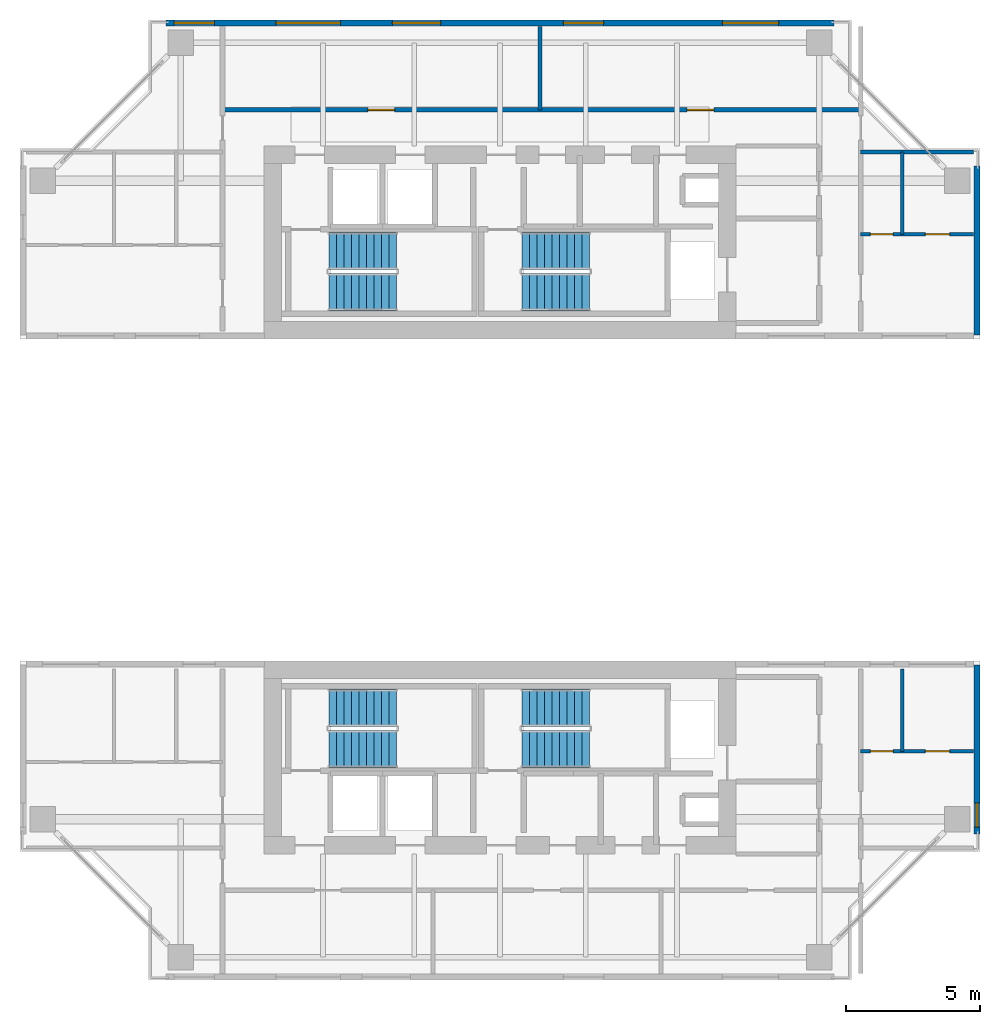
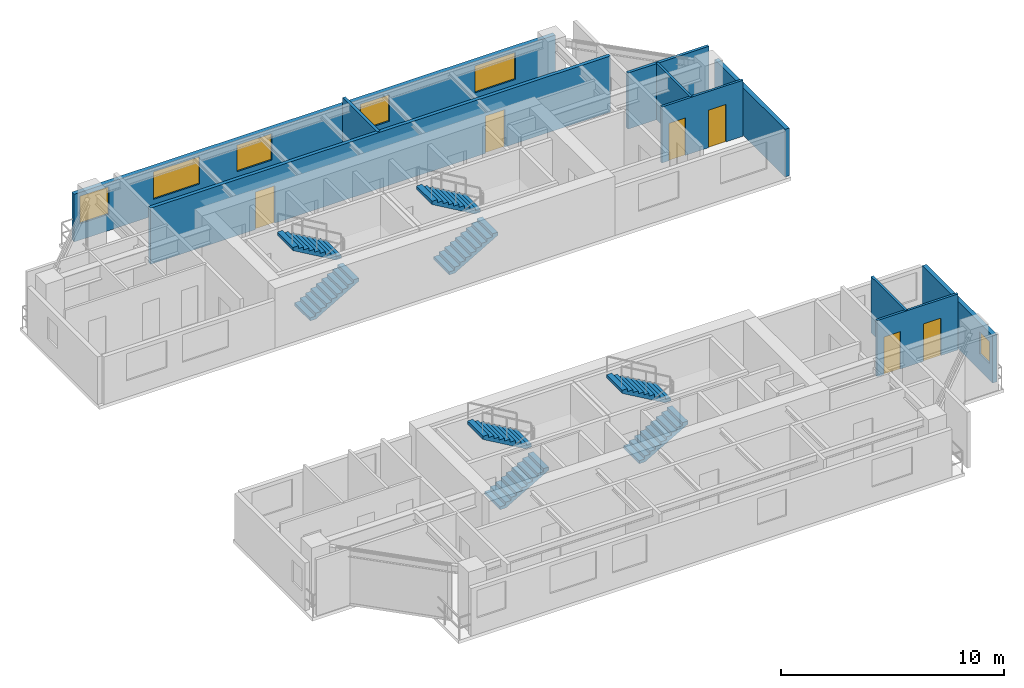
# One storey, part 10 of 12: 10 walls, 8 stair flights, 6 doors, 6 windows, 12 openings, 4 elements without a shape of their own.
"""IFC4 building model written with IfcOpenShell, lengths in metres."""

from ifc_helpers import new_model, si_unit, direction, frame, frame_2d, origin, place, context, subcontext, project, spatial, polyline, rectangle, outline, extrude, source, transform, mapped, material, layer, layer_set, type_object, element, fill, aggregate, save


model = new_model("IFC4")

# Units and contexts
model_context = context("Model", 3, precision=1e-05, world=origin(), true_north=direction((0.0, 1.0)))
body_context = subcontext(model_context, "Body", "Model", "MODEL_VIEW")
ifc_project = project(units=[si_unit("LENGTHUNIT", "METRE"), si_unit("AREAUNIT", "SQUARE_METRE"), si_unit("VOLUMEUNIT", "CUBIC_METRE"), si_unit("PLANEANGLEUNIT", "RADIAN"), si_unit("MASSUNIT", "GRAM", prefix="KILO"), si_unit("THERMODYNAMICTEMPERATUREUNIT", "KELVIN"), si_unit("POWERUNIT", "WATT")], contexts=[model_context])

# Site, building, storey
site_placement = place(None, origin())
site = spatial("IfcSite", under=ifc_project, at=site_placement, CompositionType="ELEMENT")
building_placement = place(site_placement, origin())
building = spatial("IfcBuilding", under=site, at=building_placement, Name="Qiaomeng Ring Towers", CompositionType="ELEMENT")
storey_placement = place(building_placement, frame((0.0, 0.0, 160.0)))
storey = spatial("IfcBuildingStorey", under=building, at=storey_placement, Name="L46", CompositionType="ELEMENT", Elevation=160.0)

# Wall
ifc_material_1 = material(Name="Precast concrete C40", Category="concrete")
ifc_layer_1 = layer(ifc_material_1, 0.219970703125, Name="Precast concrete C40")
ifc_layer_set_1 = layer_set([ifc_layer_1], Name="Precast concrete C40")
wall_type_1 = type_object("IfcWallType", Name="ARC-WL-EW2", PredefinedType="STANDARD", material=ifc_layer_set_1)
wall_1_placement = place(storey_placement, frame((36.7900390625, 29.14990234375, 0.0), z_axis=(0.0, 0.0, 1.0), x_axis=(0.0, 1.0, 0.0)))
element("IfcWall", 1, at=wall_1_placement, inside=storey, type_object=wall_type_1, Name="L46 Portal Wing Side Wall NWING-EL", PredefinedType="STANDARD", context=body_context, shape_type="SweptSolid", body=[
    extrude(rectangle(XDim=6.300048828125, YDim=0.219970703125, at=frame_2d((3.14990234375, 0.0))), origin(), (0.0, 0.0, 1.0), 2.610107421875),
])

# Wall, opening, window
wall_2_placement = place(storey_placement, frame((36.7900390625, 10.550048828125, 0.0), z_axis=(0.0, 0.0, 1.0), x_axis=(0.0, 1.0, 0.0)))
wall_2 = element("IfcWall", 2, at=wall_2_placement, inside=storey, type_object=wall_type_1, Name="L46 Portal Wing Side Wall SWING-EL", PredefinedType="STANDARD", context=body_context, shape_type="SweptSolid", body=[
    extrude(rectangle(XDim=6.300048828125, YDim=0.219970703125, at=frame_2d((3.14990234375, 0.0))), origin(), (0.0, 0.0, 1.0), 2.610107421875),
])
opening_1_placement = place(wall_2_placement, frame((0.25, 0.0, 0.89990234375)))
opening_1 = element("IfcOpeningElement", 3, at=opening_1_placement, cuts=wall_2, Name="Opening WN5", PredefinedType="OPENING", context=body_context, shape_type="SweptSolid", body=[
    extrude(rectangle(XDim=0.89990234375, YDim=1.199951171875, at=frame_2d((0.449951171875, 0.60009765625))), frame((0.0, 0.119873046875, 0.0), z_axis=(0.0, -1.0, 0.0), x_axis=(1.0, 0.0, 0.0)), (0.0, 0.0, 1.0), 0.239990234375),
])
ifc_material_2 = material(Name="Low-E dark-grey laminated double glazing", Category="glass")
window_type_1 = type_object("IfcWindowType", Name="ARC-WN-5", PartitioningType="SINGLE_PANEL", PredefinedType="WINDOW", material=ifc_material_2)
shared_shape_1 = source(origin(), body_context, "Body", "SweptSolid", [
    extrude(rectangle(XDim=0.89990234375, YDim=1.199951171875, at=frame_2d((0.449951171875, 0.60009765625))), frame((0.0, 0.030029296875, 0.0), z_axis=(0.0, -1.0, 0.0), x_axis=(1.0, 0.0, 0.0)), (0.0, 0.0, 1.0), 0.06005859375),
])
window_1_placement = place(opening_1_placement, origin())
window_1 = element("IfcWindow", 4, at=window_1_placement, inside=storey, type_object=window_type_1, Name="L46 Exterior Window WN5", OverallHeight=1.199951171875, OverallWidth=0.89990234375, PartitioningType="SINGLE_PANEL", PredefinedType="WINDOW", context=body_context, shape_type="MappedRepresentation", body=[
    mapped(shared_shape_1, transform((0.0, 0.0, 0.0), x_axis=(1.0, 0.0, 0.0), y_axis=(0.0, 1.0, 0.0), z_axis=(0.0, 0.0, 1.0), scale=1.0)),
])
fill(opening_1, window_1)

# Wall, openings, windows
wall_3_placement = place(storey_placement, frame((6.550048828125, 40.7900390625, 0.0), z_axis=(0.0, 0.0, 1.0), x_axis=(1.0, 0.0, 0.0)))
wall_3 = element("IfcWall", 5, at=wall_3_placement, inside=storey, type_object=wall_type_1, Name="L46 Tower 1 N Exterior Wall", PredefinedType="STANDARD", context=body_context, shape_type="SweptSolid", body=[
    extrude(rectangle(XDim=24.89990234375, YDim=0.219970703125, at=frame_2d((12.449951171875, 0.0))), origin(), (0.0, 0.0, 1.0), 2.610107421875),
])
opening_2_placement = place(wall_3_placement, frame((0.300048828125, 0.0, 0.89990234375)))
opening_2 = element("IfcOpeningElement", 6, at=opening_2_placement, cuts=wall_3, Name="Opening WN2", PredefinedType="OPENING", context=body_context, shape_type="SweptSolid", body=[
    extrude(rectangle(XDim=1.5, YDim=1.5, at=frame_2d((0.75, 0.75))), frame((0.0, 0.119873046875, 0.0), z_axis=(0.0, -1.0, 0.0), x_axis=(1.0, 0.0, 0.0)), (0.0, 0.0, 1.0), 0.239990234375),
])
opening_3_placement = place(wall_3_placement, frame((8.43798828125, 0.0, 0.89990234375)))
opening_3 = element("IfcOpeningElement", 7, at=opening_3_placement, cuts=wall_3, Name="Opening WN1", PredefinedType="OPENING", context=body_context, shape_type="SweptSolid", body=[
    extrude(rectangle(XDim=1.800048828125, YDim=1.449951171875, at=frame_2d((0.89990234375, 0.72509765625))), frame((0.0, 0.119873046875, 0.0), z_axis=(0.0, -1.0, 0.0), x_axis=(1.0, 0.0, 0.0)), (0.0, 0.0, 1.0), 0.239990234375),
])
opening_4_placement = place(wall_3_placement, frame((14.81298828125, 0.0, 0.89990234375)))
opening_4 = element("IfcOpeningElement", 8, at=opening_4_placement, cuts=wall_3, Name="Opening WN2", PredefinedType="OPENING", context=body_context, shape_type="SweptSolid", body=[
    extrude(rectangle(XDim=1.5, YDim=1.449951171875, at=frame_2d((0.75, 0.72509765625))), frame((0.0, 0.119873046875, 0.0), z_axis=(0.0, -1.0, 0.0), x_axis=(1.0, 0.0, 0.0)), (0.0, 0.0, 1.0), 0.239990234375),
])
opening_5_placement = place(wall_3_placement, frame((20.738037109375, 0.0, 0.89990234375)))
opening_5 = element("IfcOpeningElement", 9, at=opening_5_placement, cuts=wall_3, Name="Opening WN4", PredefinedType="OPENING", context=body_context, shape_type="SweptSolid", body=[
    extrude(rectangle(XDim=2.10009765625, YDim=1.47998046875, at=frame_2d((1.050048828125, 0.739990234375))), frame((0.0, 0.119873046875, 0.0), z_axis=(0.0, -1.0, 0.0), x_axis=(1.0, 0.0, 0.0)), (0.0, 0.0, 1.0), 0.239990234375),
])
opening_6_placement = place(wall_3_placement, frame((4.093994140625, 0.0, 0.89990234375)))
opening_6 = element("IfcOpeningElement", 10, at=opening_6_placement, cuts=wall_3, Name="Opening WN6", PredefinedType="OPENING", context=body_context, shape_type="SweptSolid", body=[
    extrude(rectangle(XDim=2.39990234375, YDim=1.5, at=frame_2d((1.199951171875, 0.75))), frame((0.0, 0.119873046875, 0.0), z_axis=(0.0, -1.0, 0.0), x_axis=(1.0, 0.0, 0.0)), (0.0, 0.0, 1.0), 0.239990234375),
])
window_type_2 = type_object("IfcWindowType", Name="ARC-WN-2", PartitioningType="DOUBLE_PANEL_VERTICAL", PredefinedType="WINDOW", material=ifc_material_2)
shared_shape_2 = source(origin(), body_context, "Body", "SweptSolid", [
    extrude(rectangle(XDim=1.5, YDim=1.449951171875, at=frame_2d((0.75, 0.72509765625))), frame((0.0, 0.030029296875, 0.0), z_axis=(0.0, -1.0, 0.0), x_axis=(1.0, 0.0, 0.0)), (0.0, 0.0, 1.0), 0.06005859375),
])
window_2_placement = place(opening_4_placement, origin())
window_2 = element("IfcWindow", 11, at=window_2_placement, inside=storey, type_object=window_type_2, Name="L46 Exterior Window WN2", OverallHeight=1.449951171875, OverallWidth=1.5, PartitioningType="DOUBLE_PANEL_VERTICAL", PredefinedType="WINDOW", context=body_context, shape_type="MappedRepresentation", body=[
    mapped(shared_shape_2, transform((0.0, 0.0, 0.0), x_axis=(1.0, 0.0, 0.0), y_axis=(0.0, 1.0, 0.0), z_axis=(0.0, 0.0, 1.0), scale=1.0)),
])
fill(opening_4, window_2)
window_type_3 = type_object("IfcWindowType", Name="ARC-WN-4", PartitioningType="TRIPLE_PANEL_VERTICAL", PredefinedType="WINDOW", material=ifc_material_2)
shared_shape_3 = source(origin(), body_context, "Body", "SweptSolid", [
    extrude(rectangle(XDim=2.10009765625, YDim=1.47998046875, at=frame_2d((1.050048828125, 0.739990234375))), frame((0.0, 0.030029296875, 0.0), z_axis=(0.0, -1.0, 0.0), x_axis=(1.0, 0.0, 0.0)), (0.0, 0.0, 1.0), 0.06005859375),
])
window_3_placement = place(opening_5_placement, origin())
window_3 = element("IfcWindow", 12, at=window_3_placement, inside=storey, type_object=window_type_3, Name="L46 Exterior Window WN4", OverallHeight=1.47998046875, OverallWidth=2.10009765625, PartitioningType="TRIPLE_PANEL_VERTICAL", PredefinedType="WINDOW", context=body_context, shape_type="MappedRepresentation", body=[
    mapped(shared_shape_3, transform((0.0, 0.0, 0.0), x_axis=(1.0, 0.0, 0.0), y_axis=(0.0, 1.0, 0.0), z_axis=(0.0, 0.0, 1.0), scale=1.0)),
])
fill(opening_5, window_3)
window_type_4 = type_object("IfcWindowType", Name="ARC-WN-1", PartitioningType="DOUBLE_PANEL_VERTICAL", PredefinedType="WINDOW", material=ifc_material_2)
shared_shape_4 = source(origin(), body_context, "Body", "SweptSolid", [
    extrude(rectangle(XDim=1.800048828125, YDim=1.449951171875, at=frame_2d((0.89990234375, 0.72509765625))), frame((0.0, 0.030029296875, 0.0), z_axis=(0.0, -1.0, 0.0), x_axis=(1.0, 0.0, 0.0)), (0.0, 0.0, 1.0), 0.06005859375),
])
window_4_placement = place(opening_3_placement, origin())
window_4 = element("IfcWindow", 13, at=window_4_placement, inside=storey, type_object=window_type_4, Name="L46 Exterior Window WN1", OverallHeight=1.449951171875, OverallWidth=1.800048828125, PartitioningType="DOUBLE_PANEL_VERTICAL", PredefinedType="WINDOW", context=body_context, shape_type="MappedRepresentation", body=[
    mapped(shared_shape_4, transform((0.0, 0.0, 0.0), x_axis=(1.0, 0.0, 0.0), y_axis=(0.0, 1.0, 0.0), z_axis=(0.0, 0.0, 1.0), scale=1.0)),
])
fill(opening_3, window_4)
shared_shape_5 = source(origin(), body_context, "Body", "SweptSolid", [
    extrude(rectangle(XDim=1.5, YDim=1.5, at=frame_2d((0.75, 0.75))), frame((0.0, 0.030029296875, 0.0), z_axis=(0.0, -1.0, 0.0), x_axis=(1.0, 0.0, 0.0)), (0.0, 0.0, 1.0), 0.06005859375),
])
window_5_placement = place(opening_2_placement, origin())
window_5 = element("IfcWindow", 14, at=window_5_placement, inside=storey, type_object=window_type_2, Name="L46 Exterior Window WN6", OverallHeight=1.5, OverallWidth=1.5, PartitioningType="TRIPLE_PANEL_VERTICAL", PredefinedType="WINDOW", context=body_context, shape_type="MappedRepresentation", body=[
    mapped(shared_shape_5, transform((0.0, 0.0, 0.0), x_axis=(1.0, 0.0, 0.0), y_axis=(0.0, 1.0, 0.0), z_axis=(0.0, 0.0, 1.0), scale=1.0)),
])
fill(opening_2, window_5)
window_type_5 = type_object("IfcWindowType", Name="ARC-WN-6", PartitioningType="TRIPLE_PANEL_VERTICAL", PredefinedType="WINDOW", material=ifc_material_2)
shared_shape_6 = source(origin(), body_context, "Body", "SweptSolid", [
    extrude(rectangle(XDim=2.39990234375, YDim=1.5, at=frame_2d((1.199951171875, 0.75))), frame((0.0, 0.030029296875, 0.0), z_axis=(0.0, -1.0, 0.0), x_axis=(1.0, 0.0, 0.0)), (0.0, 0.0, 1.0), 0.06005859375),
])
window_6_placement = place(opening_6_placement, origin())
window_6 = element("IfcWindow", 15, at=window_6_placement, inside=storey, type_object=window_type_5, Name="L46 Exterior Window WN6", OverallHeight=1.5, OverallWidth=2.39990234375, PartitioningType="TRIPLE_PANEL_VERTICAL", PredefinedType="WINDOW", context=body_context, shape_type="MappedRepresentation", body=[
    mapped(shared_shape_6, transform((0.0, 0.0, 0.0), x_axis=(1.0, 0.0, 0.0), y_axis=(0.0, 1.0, 0.0), z_axis=(0.0, 0.0, 1.0), scale=1.0)),
])
fill(opening_6, window_6)

# Wall, openings, doors
ifc_material_3 = material(Name="Autoclaved aerated concrete block", Category="concrete")
ifc_layer_2 = layer(ifc_material_3, 0.179931640625, Name="Autoclaved aerated concrete block")
ifc_layer_set_2 = layer_set([ifc_layer_2], Name="Autoclaved aerated concrete block")
wall_type_2 = type_object("IfcWallType", Name="ARC-WL-PW2", PredefinedType="PARTITIONING", material=ifc_layer_set_2)
wall_4_placement = place(storey_placement, frame((8.64990234375, 37.550048828125, 0.0), z_axis=(0.0, 0.0, 1.0), x_axis=(1.0, 0.0, 0.0)))
wall_4 = element("IfcWall", 16, at=wall_4_placement, inside=storey, type_object=wall_type_2, Name="L46 Interior Wall PW2", PredefinedType="PARTITIONING", context=body_context, shape_type="SweptSolid", body=[
    extrude(rectangle(XDim=23.800048828125, YDim=0.179931640625, at=frame_2d((11.89990234375, 0.0))), origin(), (0.0, 0.0, 1.0), 3.070068359375),
])
opening_7_placement = place(wall_4_placement, frame((5.425048828125, 0.0, 0.0)))
opening_7 = element("IfcOpeningElement", 17, at=opening_7_placement, cuts=wall_4, Name="Opening FD4", PredefinedType="OPENING", context=body_context, shape_type="SweptSolid", body=[
    extrude(rectangle(XDim=1.0, YDim=2.050048828125, at=frame_2d((0.5, 1.02490234375))), frame((0.0, 0.099853515625, 0.0), z_axis=(0.0, -1.0, 0.0), x_axis=(1.0, 0.0, 0.0)), (0.0, 0.0, 1.0), 0.199951171875),
])
opening_8_placement = place(wall_4_placement, frame((17.324951171875, 0.0, 0.0)))
opening_8 = element("IfcOpeningElement", 18, at=opening_8_placement, cuts=wall_4, Name="Opening FD4", PredefinedType="OPENING", context=body_context, shape_type="SweptSolid", body=[
    extrude(rectangle(XDim=1.0, YDim=2.050048828125, at=frame_2d((0.5, 1.02490234375))), frame((0.0, 0.099853515625, 0.0), z_axis=(0.0, -1.0, 0.0), x_axis=(1.0, 0.0, 0.0)), (0.0, 0.0, 1.0), 0.199951171875),
])
ifc_material_4 = material(Name="Engineered fire-rated oak timber", Category="wood")
door_type_1 = type_object("IfcDoorType", Name="ARC-DR-FD4", OperationType="NOTDEFINED", PredefinedType="DOOR", material=ifc_material_4)
shared_shape_7 = source(origin(), body_context, "Body", "SweptSolid", [
    extrude(rectangle(XDim=1.0, YDim=2.050048828125, at=frame_2d((0.5, 1.02490234375))), frame((0.0, 0.02490234375, 0.0), z_axis=(0.0, -1.0, 0.0), x_axis=(1.0, 0.0, 0.0)), (0.0, 0.0, 1.0), 0.050048828125),
])
door_1_placement = place(opening_7_placement, origin())
door_1 = element("IfcDoor", 19, at=door_1_placement, inside=storey, type_object=door_type_1, Name="L46 Door FD4", OperationType="SINGLE_SWING_LEFT", OverallHeight=2.050048828125, OverallWidth=1.0, PredefinedType="DOOR", context=body_context, shape_type="MappedRepresentation", body=[
    mapped(shared_shape_7, transform((0.0, 0.0, 0.0), x_axis=(1.0, 0.0, 0.0), y_axis=(0.0, 1.0, 0.0), z_axis=(0.0, 0.0, 1.0), scale=1.0)),
])
fill(opening_7, door_1)
door_2_placement = place(opening_8_placement, origin())
door_2 = element("IfcDoor", 20, at=door_2_placement, inside=storey, type_object=door_type_1, Name="L46 Door FD4", OperationType="SINGLE_SWING_RIGHT", OverallHeight=2.050048828125, OverallWidth=1.0, PredefinedType="DOOR", context=body_context, shape_type="MappedRepresentation", body=[
    mapped(shared_shape_7, transform((0.0, 0.0, 0.0), x_axis=(1.0, 0.0, 0.0), y_axis=(0.0, 1.0, 0.0), z_axis=(0.0, 0.0, 1.0), scale=1.0)),
])
fill(opening_8, door_2)

# Walls
ifc_material_5 = material(Name="Gypsum fireboard steel-stud partition", Category="steel")
ifc_layer_3 = layer(ifc_material_5, 0.14990234375, Name="Gypsum fireboard steel-stud partition")
ifc_layer_set_3 = layer_set([ifc_layer_3], Name="Gypsum fireboard steel-stud partition")
wall_type_3 = type_object("IfcWallType", Name="ARC-WL-PW3", PredefinedType="PARTITIONING", material=ifc_layer_set_3)
wall_5_placement = place(storey_placement, frame((32.449951171875, 35.97998046875, 0.0), z_axis=(0.0, 0.0, 1.0), x_axis=(1.0, 0.0, 0.0)))
element("IfcWall", 21, at=wall_5_placement, inside=storey, type_object=wall_type_3, Name="L46 Interior Wall PW3", PredefinedType="PARTITIONING", context=body_context, shape_type="SweptSolid", body=[
    extrude(rectangle(XDim=4.199951171875, YDim=0.14990234375, at=frame_2d((2.10009765625, 0.0))), origin(), (0.0, 0.0, 1.0), 3.070068359375),
])
wall_6_placement = place(storey_placement, frame((20.5, 37.550048828125, 0.0), z_axis=(0.0, 0.0, 1.0), x_axis=(0.0, 1.0, 0.0)))
element("IfcWall", 22, at=wall_6_placement, inside=storey, type_object=wall_type_3, Name="L46 Interior Wall PW3", PredefinedType="PARTITIONING", context=body_context, shape_type="SweptSolid", body=[
    extrude(rectangle(XDim=3.099853515625, YDim=0.14990234375, at=frame_2d((1.5498046875, 0.0))), origin(), (0.0, 0.0, 1.0), 3.070068359375),
])

# Wall, openings, doors
ifc_material_6 = material(Name="Moisture-resistant gypsum steel-stud partition", Category="steel")
ifc_layer_4 = layer(ifc_material_6, 0.1201171875, Name="Moisture-resistant gypsum steel-stud partition")
ifc_layer_set_4 = layer_set([ifc_layer_4], Name="Moisture-resistant gypsum steel-stud partition")
wall_type_4 = type_object("IfcWallType", Name="ARC-WL-PW4", PredefinedType="PLUMBINGWALL", material=ifc_layer_set_4)
wall_7_placement = place(storey_placement, frame((32.449951171875, 32.909912109375, 0.0), z_axis=(0.0, 0.0, 1.0), x_axis=(1.0, 0.0, 0.0)))
wall_7 = element("IfcWall", 23, at=wall_7_placement, inside=storey, type_object=wall_type_4, Name="L46 Interior Wall PW4", PredefinedType="PLUMBINGWALL", context=body_context, shape_type="SweptSolid", body=[
    extrude(rectangle(XDim=4.199951171875, YDim=0.1201171875, at=frame_2d((2.10009765625, 0.0))), origin(), (0.0, 0.0, 1.0), 3.070068359375),
])
opening_9_placement = place(wall_7_placement, frame((0.360107421875, 0.0, 0.0)))
opening_9 = element("IfcOpeningElement", 24, at=opening_9_placement, cuts=wall_7, Name="Opening ID2", PredefinedType="OPENING", context=body_context, shape_type="SweptSolid", body=[
    extrude(rectangle(XDim=0.85009765625, YDim=2.050048828125, at=frame_2d((0.425048828125, 1.02490234375))), frame((0.0, 0.070068359375, 0.0), z_axis=(0.0, -1.0, 0.0), x_axis=(1.0, 0.0, 0.0)), (0.0, 0.0, 1.0), 0.14013671875),
])
opening_10_placement = place(wall_7_placement, frame((2.4150390625, 0.0, 0.0)))
opening_10 = element("IfcOpeningElement", 25, at=opening_10_placement, cuts=wall_7, Name="Opening ID1", PredefinedType="OPENING", context=body_context, shape_type="SweptSolid", body=[
    extrude(rectangle(XDim=0.89990234375, YDim=2.050048828125, at=frame_2d((0.449951171875, 1.02490234375))), frame((0.0, 0.070068359375, 0.0), z_axis=(0.0, -1.0, 0.0), x_axis=(1.0, 0.0, 0.0)), (0.0, 0.0, 1.0), 0.14013671875),
])
ifc_material_7 = material(Name="Moisture-resistant engineered timber", Category="wood")
door_type_2 = type_object("IfcDoorType", Name="ARC-DR-ID2", OperationType="NOTDEFINED", PredefinedType="DOOR", material=ifc_material_7)
shared_shape_8 = source(origin(), body_context, "Body", "SweptSolid", [
    extrude(rectangle(XDim=0.85009765625, YDim=2.050048828125, at=frame_2d((0.425048828125, 1.02490234375))), frame((0.0, 0.02490234375, 0.0), z_axis=(0.0, -1.0, 0.0), x_axis=(1.0, 0.0, 0.0)), (0.0, 0.0, 1.0), 0.050048828125),
])
door_3_placement = place(opening_9_placement, origin())
door_3 = element("IfcDoor", 26, at=door_3_placement, inside=storey, type_object=door_type_2, Name="L46 Door ID2", OperationType="SINGLE_SWING_LEFT", OverallHeight=2.050048828125, OverallWidth=0.85009765625, PredefinedType="DOOR", context=body_context, shape_type="MappedRepresentation", body=[
    mapped(shared_shape_8, transform((0.0, 0.0, 0.0), x_axis=(1.0, 0.0, 0.0), y_axis=(0.0, 1.0, 0.0), z_axis=(0.0, 0.0, 1.0), scale=1.0)),
])
fill(opening_9, door_3)
ifc_material_8 = material(Name="Engineered oak timber", Category="wood")
door_type_3 = type_object("IfcDoorType", Name="ARC-DR-ID1", OperationType="NOTDEFINED", PredefinedType="DOOR", material=ifc_material_8)
shared_shape_9 = source(origin(), body_context, "Body", "SweptSolid", [
    extrude(rectangle(XDim=0.89990234375, YDim=2.050048828125, at=frame_2d((0.449951171875, 1.02490234375))), frame((0.0, 0.02490234375, 0.0), z_axis=(0.0, -1.0, 0.0), x_axis=(1.0, 0.0, 0.0)), (0.0, 0.0, 1.0), 0.050048828125),
])
door_4_placement = place(opening_10_placement, origin())
door_4 = element("IfcDoor", 27, at=door_4_placement, inside=storey, type_object=door_type_3, Name="L46 Door ID1", OperationType="SINGLE_SWING_RIGHT", OverallHeight=2.050048828125, OverallWidth=0.89990234375, PredefinedType="DOOR", context=body_context, shape_type="MappedRepresentation", body=[
    mapped(shared_shape_9, transform((0.0, 0.0, 0.0), x_axis=(1.0, 0.0, 0.0), y_axis=(0.0, 1.0, 0.0), z_axis=(0.0, 0.0, 1.0), scale=1.0)),
])
fill(opening_10, door_4)

# Wall
wall_8_placement = place(storey_placement, frame((34.0, 32.909912109375, 0.0), z_axis=(0.0, 0.0, 1.0), x_axis=(0.0, 1.0, 0.0)))
element("IfcWall", 28, at=wall_8_placement, inside=storey, type_object=wall_type_4, Name="L46 Interior Wall PW4", PredefinedType="PLUMBINGWALL", context=body_context, shape_type="SweptSolid", body=[
    extrude(rectangle(XDim=3.070068359375, YDim=0.1201171875, at=frame_2d((1.53515625, 0.0))), origin(), (0.0, 0.0, 1.0), 3.070068359375),
])

# Wall, openings, doors
wall_9_placement = place(storey_placement, frame((32.449951171875, 13.6298828125, 0.0), z_axis=(0.0, 0.0, 1.0), x_axis=(1.0, 0.0, 0.0)))
wall_9 = element("IfcWall", 29, at=wall_9_placement, inside=storey, type_object=wall_type_4, Name="L46 Interior Wall PW4", PredefinedType="PLUMBINGWALL", context=body_context, shape_type="SweptSolid", body=[
    extrude(rectangle(XDim=4.199951171875, YDim=0.1201171875, at=frame_2d((2.10009765625, 0.0))), origin(), (0.0, 0.0, 1.0), 3.070068359375),
])
opening_11_placement = place(wall_9_placement, frame((0.360107421875, 0.0, 0.0)))
opening_11 = element("IfcOpeningElement", 30, at=opening_11_placement, cuts=wall_9, Name="Opening ID2", PredefinedType="OPENING", context=body_context, shape_type="SweptSolid", body=[
    extrude(rectangle(XDim=0.85009765625, YDim=2.050048828125, at=frame_2d((0.425048828125, 1.02490234375))), frame((0.0, 0.070068359375, 0.0), z_axis=(0.0, -1.0, 0.0), x_axis=(1.0, 0.0, 0.0)), (0.0, 0.0, 1.0), 0.14013671875),
])
opening_12_placement = place(wall_9_placement, frame((2.4150390625, 0.0, 0.0)))
opening_12 = element("IfcOpeningElement", 31, at=opening_12_placement, cuts=wall_9, Name="Opening ID1", PredefinedType="OPENING", context=body_context, shape_type="SweptSolid", body=[
    extrude(rectangle(XDim=0.89990234375, YDim=2.050048828125, at=frame_2d((0.449951171875, 1.02490234375))), frame((0.0, 0.070068359375, 0.0), z_axis=(0.0, -1.0, 0.0), x_axis=(1.0, 0.0, 0.0)), (0.0, 0.0, 1.0), 0.14013671875),
])
door_5_placement = place(opening_11_placement, origin())
door_5 = element("IfcDoor", 32, at=door_5_placement, inside=storey, type_object=door_type_2, Name="L46 Door ID2", OperationType="SINGLE_SWING_RIGHT", OverallHeight=2.050048828125, OverallWidth=0.85009765625, PredefinedType="DOOR", context=body_context, shape_type="MappedRepresentation", body=[
    mapped(shared_shape_8, transform((0.0, 0.0, 0.0), x_axis=(1.0, 0.0, 0.0), y_axis=(0.0, 1.0, 0.0), z_axis=(0.0, 0.0, 1.0), scale=1.0)),
])
fill(opening_11, door_5)
door_6_placement = place(opening_12_placement, origin())
door_6 = element("IfcDoor", 33, at=door_6_placement, inside=storey, type_object=door_type_3, Name="L46 Door ID1", OperationType="SINGLE_SWING_LEFT", OverallHeight=2.050048828125, OverallWidth=0.89990234375, PredefinedType="DOOR", context=body_context, shape_type="MappedRepresentation", body=[
    mapped(shared_shape_9, transform((0.0, 0.0, 0.0), x_axis=(1.0, 0.0, 0.0), y_axis=(0.0, 1.0, 0.0), z_axis=(0.0, 0.0, 1.0), scale=1.0)),
])
fill(opening_12, door_6)

# Wall
wall_10_placement = place(storey_placement, frame((34.0, 13.6298828125, 0.0), z_axis=(0.0, 0.0, 1.0), x_axis=(0.0, 1.0, 0.0)))
element("IfcWall", 34, at=wall_10_placement, inside=storey, type_object=wall_type_4, Name="L46 Interior Wall PW4", PredefinedType="PLUMBINGWALL", context=body_context, shape_type="SweptSolid", body=[
    extrude(rectangle(XDim=3.070068359375, YDim=0.1201171875, at=frame_2d((1.53515625, 0.0))), origin(), (0.0, 0.0, 1.0), 3.070068359375),
])

# Stair, stair flights
stair_type = type_object("IfcStairType", Name="ARC-ST-325", PredefinedType="HALF_TURN_STAIR", material=ifc_material_1)
stair_1_placement = place(storey_placement, origin())
stair_1 = element("IfcStair", 35, at=stair_1_placement, inside=storey, type_object=stair_type, Name="L46 Tower 1 North Stair 1", PredefinedType="HALF_TURN_STAIR")
stair_flight_type = type_object("IfcStairFlightType", Name="ARC-ST-325-FL", PredefinedType="STRAIGHT", material=ifc_material_1)
shared_shape_10 = source(origin(), body_context, "Body", "SweptSolid", [
    extrude(outline(polyline([(0.0, 0.0), (0.0, 0.16259765625), (0.280029296875, 0.16259765625), (0.280029296875, 0.324951171875), (0.56005859375, 0.324951171875), (0.56005859375, 0.487548828125), (0.840087890625, 0.487548828125), (0.840087890625, 0.64990234375), (1.1201171875, 0.64990234375), (1.1201171875, 0.8125), (1.39990234375, 0.8125), (1.39990234375, 0.97509765625), (1.679931640625, 0.97509765625), (1.679931640625, 1.137451171875), (1.9599609375, 1.137451171875), (1.9599609375, 1.300048828125), (2.239990234375, 1.300048828125), (2.239990234375, 1.46240234375), (2.52001953125, 1.46240234375), (2.52001953125, 1.625), (2.52001953125, 1.2890625), (0.298583984375, 0.0), (0.0, 0.0)])), frame((0.0, 0.699951171875, 0.0), z_axis=(0.0, -1.0, 0.0), x_axis=(1.0, 0.0, 0.0)), (0.0, 0.0, 1.0), 1.39990234375),
])
stair_flight_1_placement = place(storey_placement, frame((12.6201171875, 30.75, 0.0), z_axis=(0.0, 0.0, 1.0), x_axis=(1.0, 0.0, 0.0)))
stair_flight_1 = element("IfcStairFlight", 36, at=stair_flight_1_placement, type_object=stair_flight_type, Name="ST1 flight 1", NumberOfRisers=10, NumberOfTreads=9, PredefinedType="STRAIGHT", RiserHeight=0.1625, TreadLength=0.28, context=body_context, shape_type="MappedRepresentation", body=[
    mapped(shared_shape_10, transform((0.0, 0.0, 0.0), x_axis=(1.0, 0.0, 0.0), y_axis=(0.0, 1.0, 0.0), z_axis=(0.0, 0.0, 1.0), scale=1.0)),
])
stair_flight_2_placement = place(storey_placement, frame((15.139892578125, 32.2900390625, 1.625), z_axis=(0.0, 0.0, 1.0), x_axis=(-1.0, 0.0, 0.0)))
stair_flight_2 = element("IfcStairFlight", 37, at=stair_flight_2_placement, type_object=stair_flight_type, Name="ST1 flight 2", NumberOfRisers=10, NumberOfTreads=9, PredefinedType="STRAIGHT", RiserHeight=0.1625, TreadLength=0.28, context=body_context, shape_type="MappedRepresentation", body=[
    mapped(shared_shape_10, transform((0.0, 0.0, 0.0), x_axis=(1.0, 0.0, 0.0), y_axis=(0.0, 1.0, 0.0), z_axis=(0.0, 0.0, 1.0), scale=1.0)),
])
aggregate(stair_1, [stair_flight_1, stair_flight_2])

stair_2_placement = place(storey_placement, origin())
stair_2 = element("IfcStair", 38, at=stair_2_placement, inside=storey, type_object=stair_type, Name="L46 Tower 1 North Stair 2", PredefinedType="HALF_TURN_STAIR")
stair_flight_3_placement = place(storey_placement, frame((19.820068359375, 30.75, 0.0), z_axis=(0.0, 0.0, 1.0), x_axis=(1.0, 0.0, 0.0)))
stair_flight_3 = element("IfcStairFlight", 39, at=stair_flight_3_placement, type_object=stair_flight_type, Name="ST2 flight 1", NumberOfRisers=10, NumberOfTreads=9, PredefinedType="STRAIGHT", RiserHeight=0.1625, TreadLength=0.28, context=body_context, shape_type="MappedRepresentation", body=[
    mapped(shared_shape_10, transform((0.0, 0.0, 0.0), x_axis=(1.0, 0.0, 0.0), y_axis=(0.0, 1.0, 0.0), z_axis=(0.0, 0.0, 1.0), scale=1.0)),
])
stair_flight_4_placement = place(storey_placement, frame((22.340087890625, 32.2900390625, 1.625), z_axis=(0.0, 0.0, 1.0), x_axis=(-1.0, 0.0, 0.0)))
stair_flight_4 = element("IfcStairFlight", 40, at=stair_flight_4_placement, type_object=stair_flight_type, Name="ST2 flight 2", NumberOfRisers=10, NumberOfTreads=9, PredefinedType="STRAIGHT", RiserHeight=0.1625, TreadLength=0.28, context=body_context, shape_type="MappedRepresentation", body=[
    mapped(shared_shape_10, transform((0.0, 0.0, 0.0), x_axis=(1.0, 0.0, 0.0), y_axis=(0.0, 1.0, 0.0), z_axis=(0.0, 0.0, 1.0), scale=1.0)),
])
aggregate(stair_2, [stair_flight_3, stair_flight_4])

stair_3_placement = place(storey_placement, origin())
stair_3 = element("IfcStair", 41, at=stair_3_placement, inside=storey, type_object=stair_type, Name="L46 Tower 1 South Stair 3", PredefinedType="HALF_TURN_STAIR")
stair_flight_5_placement = place(storey_placement, frame((12.6201171875, 13.7099609375, 0.0), z_axis=(0.0, 0.0, 1.0), x_axis=(1.0, 0.0, 0.0)))
stair_flight_5 = element("IfcStairFlight", 42, at=stair_flight_5_placement, type_object=stair_flight_type, Name="ST3 flight 1", NumberOfRisers=10, NumberOfTreads=9, PredefinedType="STRAIGHT", RiserHeight=0.1625, TreadLength=0.28, context=body_context, shape_type="MappedRepresentation", body=[
    mapped(shared_shape_10, transform((0.0, 0.0, 0.0), x_axis=(1.0, 0.0, 0.0), y_axis=(0.0, 1.0, 0.0), z_axis=(0.0, 0.0, 1.0), scale=1.0)),
])
stair_flight_6_placement = place(storey_placement, frame((15.139892578125, 15.25, 1.625), z_axis=(0.0, 0.0, 1.0), x_axis=(-1.0, 0.0, 0.0)))
stair_flight_6 = element("IfcStairFlight", 43, at=stair_flight_6_placement, type_object=stair_flight_type, Name="ST3 flight 2", NumberOfRisers=10, NumberOfTreads=9, PredefinedType="STRAIGHT", RiserHeight=0.1625, TreadLength=0.28, context=body_context, shape_type="MappedRepresentation", body=[
    mapped(shared_shape_10, transform((0.0, 0.0, 0.0), x_axis=(1.0, 0.0, 0.0), y_axis=(0.0, 1.0, 0.0), z_axis=(0.0, 0.0, 1.0), scale=1.0)),
])
aggregate(stair_3, [stair_flight_5, stair_flight_6])

stair_4_placement = place(storey_placement, origin())
stair_4 = element("IfcStair", 44, at=stair_4_placement, inside=storey, type_object=stair_type, Name="L46 Tower 1 South Stair 4", PredefinedType="HALF_TURN_STAIR")
stair_flight_7_placement = place(storey_placement, frame((19.820068359375, 13.7099609375, 0.0), z_axis=(0.0, 0.0, 1.0), x_axis=(1.0, 0.0, 0.0)))
stair_flight_7 = element("IfcStairFlight", 45, at=stair_flight_7_placement, type_object=stair_flight_type, Name="ST4 flight 1", NumberOfRisers=10, NumberOfTreads=9, PredefinedType="STRAIGHT", RiserHeight=0.1625, TreadLength=0.28, context=body_context, shape_type="MappedRepresentation", body=[
    mapped(shared_shape_10, transform((0.0, 0.0, 0.0), x_axis=(1.0, 0.0, 0.0), y_axis=(0.0, 1.0, 0.0), z_axis=(0.0, 0.0, 1.0), scale=1.0)),
])
stair_flight_8_placement = place(storey_placement, frame((22.340087890625, 15.25, 1.625), z_axis=(0.0, 0.0, 1.0), x_axis=(-1.0, 0.0, 0.0)))
stair_flight_8 = element("IfcStairFlight", 46, at=stair_flight_8_placement, type_object=stair_flight_type, Name="ST4 flight 2", NumberOfRisers=10, NumberOfTreads=9, PredefinedType="STRAIGHT", RiserHeight=0.1625, TreadLength=0.28, context=body_context, shape_type="MappedRepresentation", body=[
    mapped(shared_shape_10, transform((0.0, 0.0, 0.0), x_axis=(1.0, 0.0, 0.0), y_axis=(0.0, 1.0, 0.0), z_axis=(0.0, 0.0, 1.0), scale=1.0)),
])
aggregate(stair_4, [stair_flight_7, stair_flight_8])

save(model, "model.ifc")
